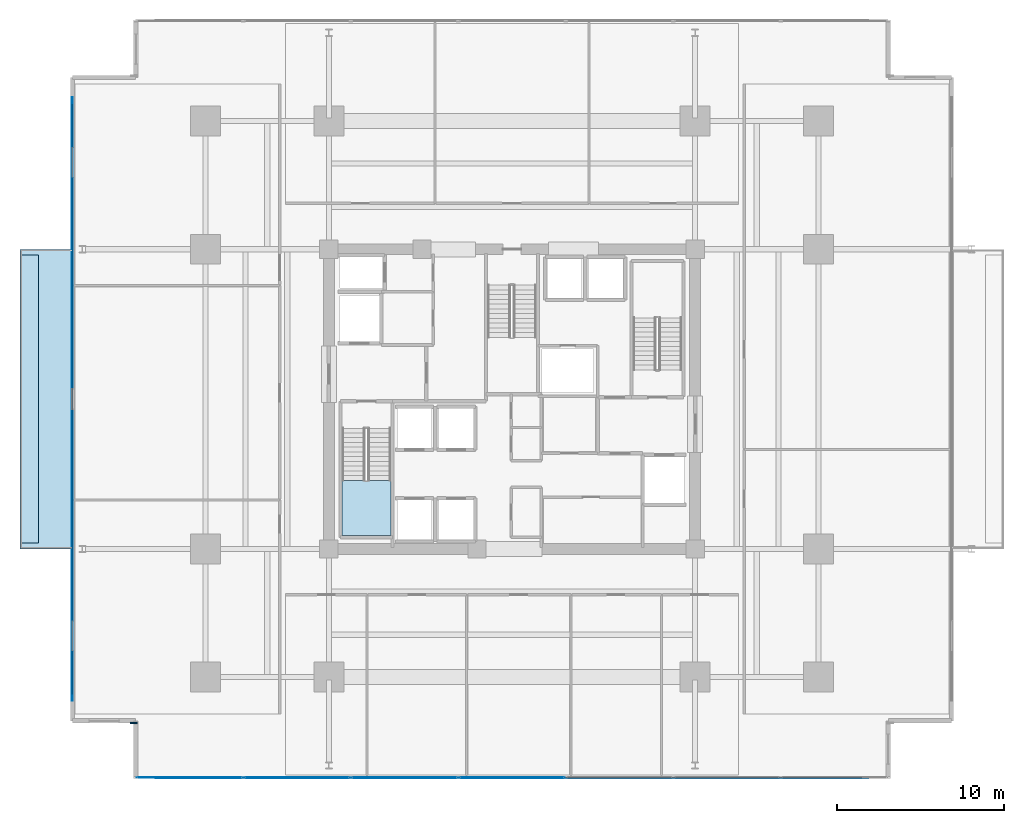
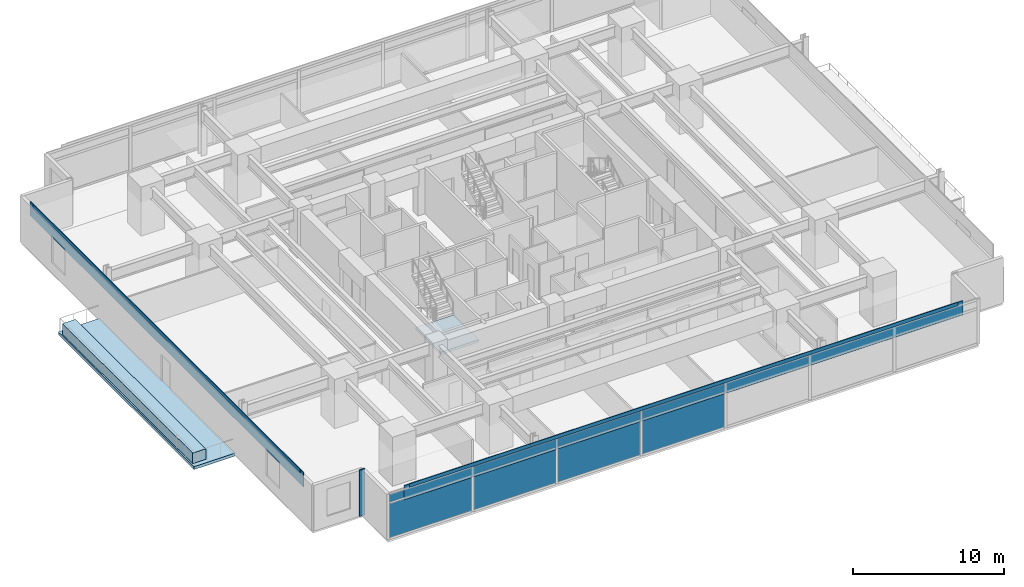
# One storey, part 13 of 23: 13 plates, 3 slabs, 2 elements without a shape of their own.
"""IFC4 building model written with IfcOpenShell, lengths in metres."""

from ifc_helpers import new_model, si_unit, direction, frame, origin, origin_2d, place, context, subcontext, project, spatial, polyline, rectangle, outline, extrude, material, layer, layer_set, type_object, element, aggregate, save


model = new_model("IFC4")

# Units and contexts
model_context = context("Model", 3, precision=1e-05, world=origin(), true_north=direction((0.0, 1.0)))
body_context = subcontext(model_context, "Body", "Model", "MODEL_VIEW")
ifc_project = project(units=[si_unit("LENGTHUNIT", "METRE"), si_unit("AREAUNIT", "SQUARE_METRE"), si_unit("VOLUMEUNIT", "CUBIC_METRE"), si_unit("PLANEANGLEUNIT", "RADIAN"), si_unit("MASSUNIT", "GRAM", prefix="KILO")], contexts=[model_context])

# Site, building, storey
site_placement = place(None, origin())
site = spatial("IfcSite", under=ifc_project, at=site_placement, CompositionType="ELEMENT")
building_placement = place(site_placement, origin())
building = spatial("IfcBuilding", under=site, at=building_placement, Name="Kovane Verandah Tower", CompositionType="ELEMENT")
storey_placement = place(building_placement, frame((0.0, 0.0, 103.60009765625)))
storey = spatial("IfcBuildingStorey", under=building, at=storey_placement, Name="L24", CompositionType="ELEMENT", Elevation=103.60009765625)

# Curtain wall, plates
ifc_material_1 = material(Name="Champagne Anodised Aluminium Frame with Low-E Clear Laminated Glass", Category="aluminium")
curtain_wall_type = type_object("IfcCurtainWallType", Name="CW-SYS-02-LOW", PredefinedType="NOTDEFINED", material=ifc_material_1)
curtain_wall_placement = place(storey_placement, origin())
curtain_wall = element("IfcCurtainWall", 1, at=curtain_wall_placement, inside=storey, type_object=curtain_wall_type, Name="L24 S Unitised Curtain Wall", PredefinedType="NOTDEFINED")
ifc_material_2 = material(Name="Pale Champagne Anodised Aluminium Insulated Spandrel", Category="aluminium")
ifc_layer_1 = layer(ifc_material_2, 0.0400390625)
ifc_layer_set_1 = layer_set([ifc_layer_1], Name="Pale Champagne Anodised Aluminium Insulated Spandrel")
plate_type_1 = type_object("IfcPlateType", Name="PL-CW-SPD-40", PredefinedType="SHEET", material=ifc_layer_set_1)
plate_1_placement = place(storey_placement, frame((20.6298828125, 4.781005859375, 2.9697265625), z_axis=(0.0, 0.0, 1.0), x_axis=(1.0, 0.0, 0.0)))
plate_1 = element("IfcPlate", 2, at=plate_1_placement, type_object=plate_type_1, Name="L24 S Unitised Curtain Wall Spandrel Panel 1", PredefinedType="SHEET", context=body_context, shape_type="SweptSolid", body=[
    extrude(rectangle(XDim=6.316650390625, YDim=0.0400390625, at=origin_2d()), origin(), (0.0, 0.0, 1.0), 0.639892578125),
])
plate_2_placement = place(storey_placement, frame((27.08642578125, 4.781005859375, 2.9697265625), z_axis=(0.0, 0.0, 1.0), x_axis=(1.0, 0.0, 0.0)))
plate_2 = element("IfcPlate", 3, at=plate_2_placement, type_object=plate_type_1, Name="L24 S Unitised Curtain Wall Spandrel Panel 2", PredefinedType="SHEET", context=body_context, shape_type="SweptSolid", body=[
    extrude(rectangle(XDim=6.316650390625, YDim=0.0400390625, at=origin_2d()), origin(), (0.0, 0.0, 1.0), 0.639892578125),
])
plate_3_placement = place(storey_placement, frame((33.543212890625, 4.781005859375, 2.9697265625), z_axis=(0.0, 0.0, 1.0), x_axis=(1.0, 0.0, 0.0)))
plate_3 = element("IfcPlate", 4, at=plate_3_placement, type_object=plate_type_1, Name="L24 S Unitised Curtain Wall Spandrel Panel 3", PredefinedType="SHEET", context=body_context, shape_type="SweptSolid", body=[
    extrude(rectangle(XDim=6.316650390625, YDim=0.0400390625, at=origin_2d()), origin(), (0.0, 0.0, 1.0), 0.639892578125),
])
plate_4_placement = place(storey_placement, frame((40.0, 4.781005859375, 2.9697265625), z_axis=(0.0, 0.0, 1.0), x_axis=(1.0, 0.0, 0.0)))
plate_4 = element("IfcPlate", 5, at=plate_4_placement, type_object=plate_type_1, Name="L24 S Unitised Curtain Wall Spandrel Panel 4", PredefinedType="SHEET", context=body_context, shape_type="SweptSolid", body=[
    extrude(rectangle(XDim=6.316650390625, YDim=0.0400390625, at=origin_2d()), origin(), (0.0, 0.0, 1.0), 0.639892578125),
])
ifc_material_3 = material(Name="Clear Low-E Laminated Double Glazing", Category="glass")
ifc_layer_2 = layer(ifc_material_3, 0.031982421875)
ifc_layer_set_2 = layer_set([ifc_layer_2], Name="Clear Low-E Laminated Double Glazing")
plate_type_2 = type_object("IfcPlateType", Name="PL-CW-VIS-32", PredefinedType="CURTAIN_PANEL", material=ifc_layer_set_2)
plate_5_placement = place(storey_placement, frame((20.6298828125, 4.781005859375, 0.099853515625), z_axis=(0.0, 0.0, 1.0), x_axis=(1.0, 0.0, 0.0)))
plate_5 = element("IfcPlate", 6, at=plate_5_placement, type_object=plate_type_2, Name="L24 S Unitised Curtain Wall Vision Panel 1", PredefinedType="CURTAIN_PANEL", context=body_context, shape_type="SweptSolid", body=[
    extrude(rectangle(XDim=6.316650390625, YDim=0.031982421875, at=origin_2d()), origin(), (0.0, 0.0, 1.0), 2.77001953125),
])
plate_6_placement = place(storey_placement, frame((27.08642578125, 4.781005859375, 0.099853515625), z_axis=(0.0, 0.0, 1.0), x_axis=(1.0, 0.0, 0.0)))
plate_6 = element("IfcPlate", 7, at=plate_6_placement, type_object=plate_type_2, Name="L24 S Unitised Curtain Wall Vision Panel 2", PredefinedType="CURTAIN_PANEL", context=body_context, shape_type="SweptSolid", body=[
    extrude(rectangle(XDim=6.316650390625, YDim=0.031982421875, at=origin_2d()), origin(), (0.0, 0.0, 1.0), 2.77001953125),
])
plate_7_placement = place(storey_placement, frame((33.543212890625, 4.781005859375, 0.099853515625), z_axis=(0.0, 0.0, 1.0), x_axis=(1.0, 0.0, 0.0)))
plate_7 = element("IfcPlate", 8, at=plate_7_placement, type_object=plate_type_2, Name="L24 S Unitised Curtain Wall Vision Panel 3", PredefinedType="CURTAIN_PANEL", context=body_context, shape_type="SweptSolid", body=[
    extrude(rectangle(XDim=6.316650390625, YDim=0.031982421875, at=origin_2d()), origin(), (0.0, 0.0, 1.0), 2.77001953125),
])
plate_8_placement = place(storey_placement, frame((40.0, 4.781005859375, 0.099853515625), z_axis=(0.0, 0.0, 1.0), x_axis=(1.0, 0.0, 0.0)))
plate_8 = element("IfcPlate", 9, at=plate_8_placement, type_object=plate_type_2, Name="L24 S Unitised Curtain Wall Vision Panel 4", PredefinedType="CURTAIN_PANEL", context=body_context, shape_type="SweptSolid", body=[
    extrude(rectangle(XDim=6.316650390625, YDim=0.031982421875, at=origin_2d()), origin(), (0.0, 0.0, 1.0), 2.77001953125),
])
aggregate(curtain_wall, [plate_5, plate_1, plate_6, plate_2, plate_7, plate_3, plate_8, plate_4])

# Plates
ifc_material_4 = material(Name="Timber-Toned Subtropical Aluminium Vertical Blade", Category="wood")
ifc_layer_3 = layer(ifc_material_4, 0.090087890625)
ifc_layer_set_3 = layer_set([ifc_layer_3], Name="Timber-Toned Subtropical Aluminium Vertical Blade")
plate_type_3 = type_object("IfcPlateType", Name="PL-FIN-90", PredefinedType="USERDEFINED", material=ifc_layer_set_3)
plate_9_placement = place(storey_placement, frame((17.281494140625, 8.06103515625, -0.02001953125), z_axis=(0.0, 0.0, 1.0), x_axis=(1.0, 0.0, 0.0)))
element("IfcPlate", 10, at=plate_9_placement, inside=storey, type_object=plate_type_3, Name="L24 SW Timber-Toned Vertical Corner Fin", ObjectType="FIN", PredefinedType="USERDEFINED", context=body_context, shape_type="SweptSolid", body=[
    extrude(rectangle(XDim=0.419921875, YDim=0.090087890625, at=origin_2d()), origin(), (0.0, 0.0, 1.0), 3.760009765625),
])
ifc_material_5 = material(Name="Perforated Pale Champagne Anodised Aluminium Solar Screen", Category="aluminium")
ifc_layer_4 = layer(ifc_material_5, 0.050048828125)
ifc_layer_set_4 = layer_set([ifc_layer_4], Name="Perforated Pale Champagne Anodised Aluminium Solar Screen")
plate_type_4 = type_object("IfcPlateType", Name="PL-SCREEN-50", PredefinedType="USERDEFINED", material=ifc_layer_set_4)
plate_10_placement = place(storey_placement, frame((40.0, 4.76611328125, 2.800048828125), z_axis=(0.0, 0.0, 1.0), x_axis=(1.0, 0.0, 0.0)))
element("IfcPlate", 11, at=plate_10_placement, inside=storey, type_object=plate_type_4, Name="L24 S Perforated Champagne-Gold Solar Screen", ObjectType="SCREEN", PredefinedType="USERDEFINED", context=body_context, shape_type="SweptSolid", body=[
    extrude(rectangle(XDim=42.797119140625, YDim=0.050048828125, at=origin_2d()), origin(), (0.0, 0.0, 1.0), 1.14990234375),
])
plate_11_placement = place(storey_placement, frame((13.58642578125, 27.5, 2.800048828125), z_axis=(0.0, 0.0, 1.0), x_axis=(0.0, -1.0, 0.0)))
element("IfcPlate", 12, at=plate_11_placement, inside=storey, type_object=plate_type_4, Name="L24 W Perforated Champagne-Gold Solar Screen", ObjectType="SCREEN", PredefinedType="USERDEFINED", context=body_context, shape_type="SweptSolid", body=[
    extrude(rectangle(XDim=36.238037109375, YDim=0.050048828125, at=origin_2d()), origin(), (0.0, 0.0, 1.0), 1.14990234375),
])
ifc_material_6 = material(Name="Extruded Pale-Bronze Aluminium Aerofoil Sunshade", Category="aluminium")
ifc_layer_5 = layer(ifc_material_6, 0.06005859375)
ifc_layer_set_5 = layer_set([ifc_layer_5], Name="Extruded Pale-Bronze Aluminium Aerofoil Sunshade")
plate_type_5 = type_object("IfcPlateType", Name="PL-SUNSHADE-60", PredefinedType="USERDEFINED", material=ifc_layer_set_5)
plate_12_placement = place(storey_placement, frame((40.0, 4.760986328125, 3.6796875), z_axis=(0.0, 0.0, 1.0), x_axis=(1.0, 0.0, 0.0)))
element("IfcPlate", 13, at=plate_12_placement, inside=storey, type_object=plate_type_5, Name="L24 S Subtropical Aerofoil Sunshade", ObjectType="SUNSHADE", PredefinedType="USERDEFINED", context=body_context, shape_type="SweptSolid", body=[
    extrude(rectangle(XDim=41.9970703125, YDim=0.06005859375, at=origin_2d()), origin(), (0.0, 0.0, 1.0), 0.280029296875),
])
plate_13_placement = place(storey_placement, frame((13.581298828125, 27.5, 3.6796875), z_axis=(0.0, 0.0, 1.0), x_axis=(0.0, -1.0, 0.0)))
element("IfcPlate", 14, at=plate_13_placement, inside=storey, type_object=plate_type_5, Name="L24 W Subtropical Aerofoil Sunshade", ObjectType="SUNSHADE", PredefinedType="USERDEFINED", context=body_context, shape_type="SweptSolid", body=[
    extrude(rectangle(XDim=35.43798828125, YDim=0.06005859375, at=origin_2d()), origin(), (0.0, 0.0, 1.0), 0.280029296875),
])

# Slab
ifc_material_7 = material(Name="Concrete C45/55", Category="concrete")
ifc_layer_6 = layer(ifc_material_7, 0.239990234375)
ifc_layer_set_6 = layer_set([ifc_layer_6], Name="Concrete C45/55")
slab_type_1 = type_object("IfcSlabType", Name="SL-BALC-240", PredefinedType="FLOOR", material=ifc_layer_set_6)
slab_1_placement = place(storey_placement, frame((0.0, 0.0, -0.239990234375)))
element("IfcSlab", 15, at=slab_1_placement, inside=storey, type_object=slab_type_1, Name="L24 W Planted Verandah Balcony Slab", PredefinedType="FLOOR", context=body_context, shape_type="SweptSolid", body=[
    extrude(outline(polyline([(10.451416015625, 18.5), (13.601318359375, 18.5), (13.601318359375, 36.5), (10.451416015625, 36.5), (10.451416015625, 18.5)])), origin(), (0.0, 0.0, 1.0), 0.239990234375),
])

# Stair, slab
stair_type = type_object("IfcStairType", Name="ST-CORE-1380", PredefinedType="HALF_TURN_STAIR", material=ifc_material_7)
stair_placement = place(storey_placement, origin())
stair = element("IfcStair", 16, at=stair_placement, inside=storey, type_object=stair_type, Name="L24 Exit Stair ST-01", PredefinedType="HALF_TURN_STAIR")
ifc_layer_7 = layer(ifc_material_7, 0.199951171875)
ifc_layer_set_7 = layer_set([ifc_layer_7], Name="Concrete C45/55")
slab_type_2 = type_object("IfcSlabType", Name="SL-LAND-200", PredefinedType="LANDING", material=ifc_layer_set_7)
slab_2_placement = place(storey_placement, frame((0.0, 0.0, 1.7998046875)))
slab_2 = element("IfcSlab", 17, at=slab_2_placement, type_object=slab_type_2, Name="ST-01 landing 1", PredefinedType="LANDING", context=body_context, shape_type="SweptSolid", body=[
    extrude(outline(polyline([(29.800048828125, 22.614990234375), (29.800048828125, 19.300048828125), (32.719970703125, 19.300048828125), (32.719970703125, 22.614990234375), (29.800048828125, 22.614990234375)])), origin(), (0.0, 0.0, 1.0), 0.2001953125),
])
aggregate(stair, [slab_2])

# Slab
ifc_material_8 = material(Name="Architectural Precast Concrete C45/55 Planter Trough", Category="concrete")
ifc_layer_8 = layer(ifc_material_8, 0.219970703125)
ifc_layer_set_8 = layer_set([ifc_layer_8], Name="Architectural Precast Concrete C45/55 Planter Trough")
slab_type_3 = type_object("IfcSlabType", Name="SL-PLANTER-220", PredefinedType="USERDEFINED", material=ifc_layer_set_8)
slab_3_placement = place(storey_placement, origin())
element("IfcSlab", 18, at=slab_3_placement, inside=storey, type_object=slab_type_3, Name="L24 W Structural Tree Planter", ObjectType="PLANTER", PredefinedType="USERDEFINED", context=body_context, shape_type="SweptSolid", body=[
    extrude(outline(polyline([(10.551513671875, 18.85009765625), (11.551513671875, 18.85009765625), (11.551513671875, 36.14990234375), (10.551513671875, 36.14990234375), (10.551513671875, 18.85009765625)])), origin(), (0.0, 0.0, 1.0), 0.849853515625),
])

save(model, "model.ifc")
